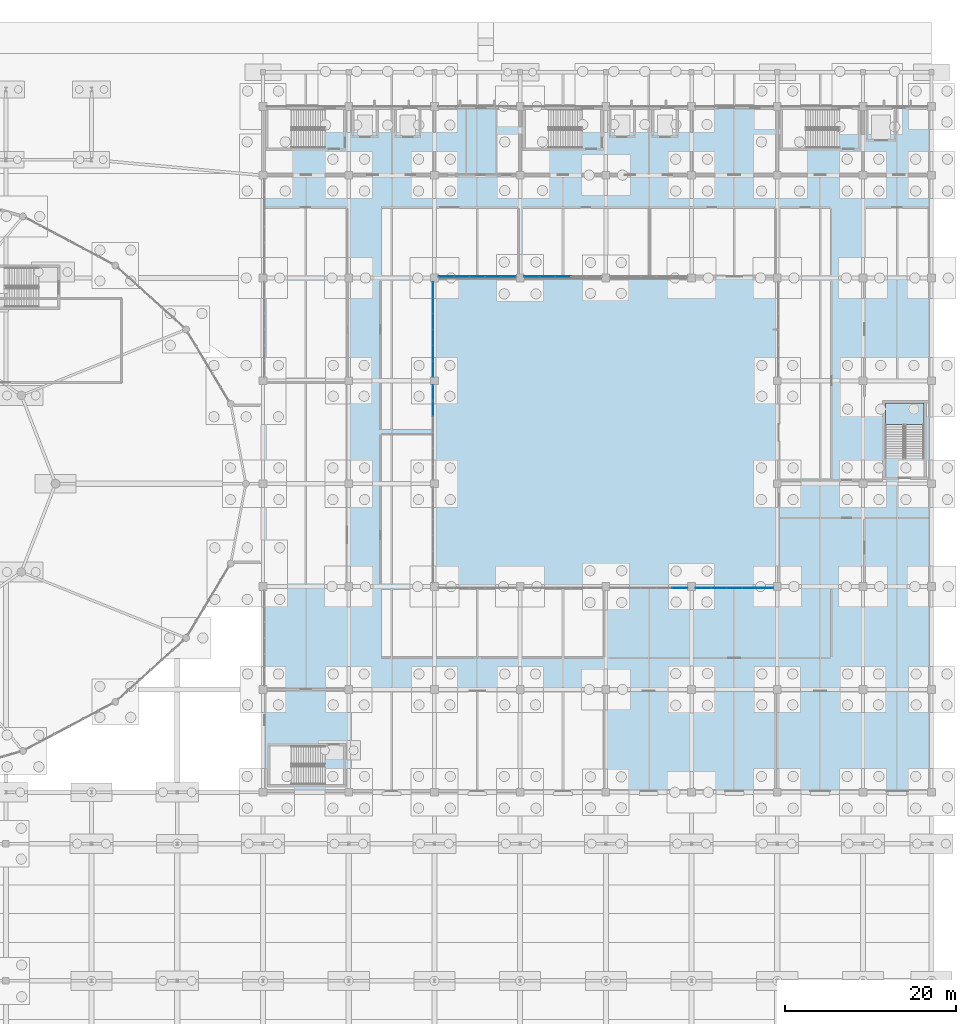
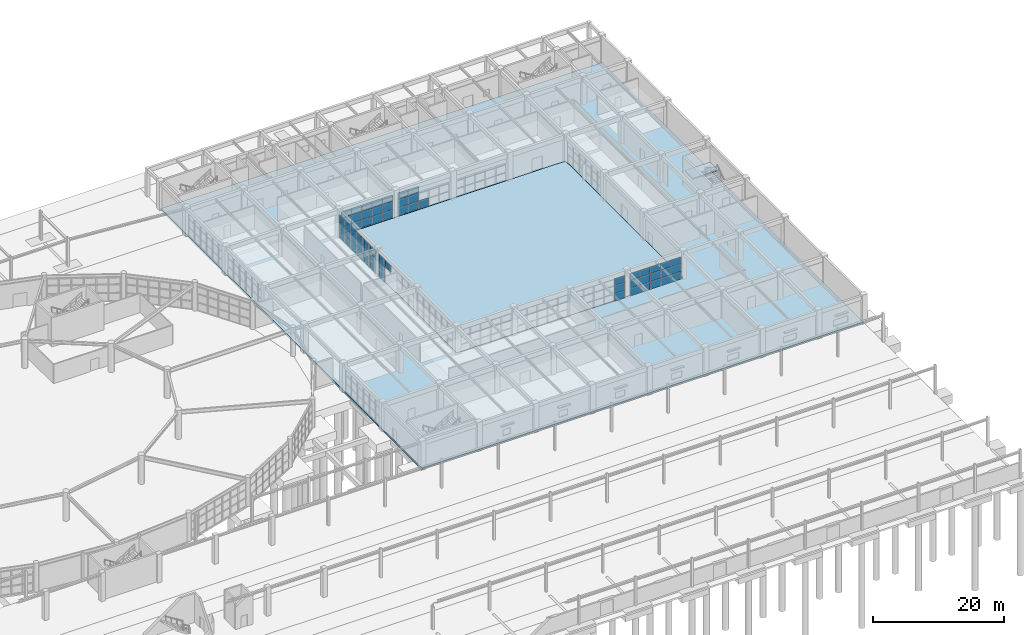
# One storey, part 72 of 99: 62 plates, 3 slabs, 7 elements without a shape of their own.
"""IFC4 building model written with IfcOpenShell, lengths in metres."""

from ifc_helpers import new_model, si_unit, direction, frame, origin, origin_2d, place, context, subcontext, project, spatial, polyline, rectangle, outline, extrude, material, layer, layer_set, type_object, element, aggregate, save


model = new_model("IFC4")

# Units and contexts
model_context = context("Model", 3, precision=1e-05, world=origin(), true_north=direction((0.0, 1.0)))
body_context = subcontext(model_context, "Body", "Model", "MODEL_VIEW")
ifc_project = project(units=[si_unit("LENGTHUNIT", "METRE"), si_unit("AREAUNIT", "SQUARE_METRE"), si_unit("VOLUMEUNIT", "CUBIC_METRE"), si_unit("PLANEANGLEUNIT", "RADIAN"), si_unit("MASSUNIT", "GRAM", prefix="KILO")], contexts=[model_context])

# Site, building, storey
site_placement = place(None, origin())
site = spatial("IfcSite", under=ifc_project, at=site_placement, CompositionType="ELEMENT")
building_placement = place(site_placement, origin())
building = spatial("IfcBuilding", under=site, at=building_placement, Name="Kivolera Central Railway Station", CompositionType="ELEMENT")
storey_placement = place(building_placement, origin())
storey = spatial("IfcBuildingStorey", under=building, at=storey_placement, Name="L00", CompositionType="ELEMENT", Elevation=0.0)

# Curtain wall, plates
ifc_material_1 = material(Name="Anodised aluminium", Category="aluminium")
ifc_layer_1 = layer(ifc_material_1, 0.179931640625, Name="Anodised aluminium")
ifc_layer_set_1 = layer_set([ifc_layer_1], Name="Anodised aluminium")
curtain_wall_type_1 = type_object("IfcCurtainWallType", Name="CW-SYS-22", PredefinedType="NOTDEFINED", material=ifc_layer_set_1)
curtain_wall_1_placement = place(storey_placement, origin())
curtain_wall_1 = element("IfcCurtainWall", 1, at=curtain_wall_1_placement, inside=storey, type_object=curtain_wall_type_1, Name="L00 Curtain Wall CW-L00-CRTW-H", PredefinedType="NOTDEFINED")
ifc_material_2 = material(Name="Double low-E laminated glass", Category="glass")
ifc_layer_2 = layer(ifc_material_2, 0.02587890625, Name="Double low-E laminated glass")
ifc_layer_set_2 = layer_set([ifc_layer_2], Name="Double low-E laminated glass")
plate_type_1 = type_object("IfcPlateType", Name="CWP-GLZ-1", PredefinedType="CURTAIN_PANEL", material=ifc_layer_set_2)
plate_1_placement = place(storey_placement, frame((137.830078125, 100.6142578125, 0.0478515625), z_axis=(0.0, 0.0, 1.0), x_axis=(0.0, -1.0, 0.0)))
plate_1 = element("IfcPlate", 2, at=plate_1_placement, type_object=plate_type_1, Name="CW-22 panel 1.1", PredefinedType="CURTAIN_PANEL", context=body_context, shape_type="SweptSolid", body=[
    extrude(rectangle(XDim=1.78564453125, YDim=0.02587890625, at=origin_2d()), origin(), (0.0, 0.0, 1.0), 1.459228515625),
])
plate_2_placement = place(storey_placement, frame((137.830078125, 100.6142578125, 1.543212890625), z_axis=(0.0, 0.0, 1.0), x_axis=(0.0, -1.0, 0.0)))
plate_2 = element("IfcPlate", 3, at=plate_2_placement, type_object=plate_type_1, Name="CW-22 panel 1.2", PredefinedType="CURTAIN_PANEL", context=body_context, shape_type="SweptSolid", body=[
    extrude(rectangle(XDim=1.78564453125, YDim=0.02587890625, at=origin_2d()), origin(), (0.0, 0.0, 1.0), 1.4892578125),
])
plate_3_placement = place(storey_placement, frame((137.830078125, 100.6142578125, 3.068359375), z_axis=(0.0, 0.0, 1.0), x_axis=(0.0, -1.0, 0.0)))
plate_3 = element("IfcPlate", 4, at=plate_3_placement, type_object=plate_type_1, Name="CW-22 panel 1.3", PredefinedType="CURTAIN_PANEL", context=body_context, shape_type="SweptSolid", body=[
    extrude(rectangle(XDim=1.78564453125, YDim=0.02587890625, at=origin_2d()), origin(), (0.0, 0.0, 1.0), 1.241455078125),
])
plate_4_placement = place(storey_placement, frame((137.830078125, 98.777587890625, 3.068359375), z_axis=(0.0, 0.0, 1.0), x_axis=(0.0, -1.0, 0.0)))
plate_4 = element("IfcPlate", 5, at=plate_4_placement, type_object=plate_type_1, Name="CW-22 panel 2.3", PredefinedType="CURTAIN_PANEL", context=body_context, shape_type="SweptSolid", body=[
    extrude(rectangle(XDim=1.815673828125, YDim=0.02587890625, at=origin_2d()), origin(), (0.0, 0.0, 1.0), 1.241455078125),
])
aggregate(curtain_wall_1, [plate_1, plate_2, plate_3, plate_4])

curtain_wall_2_placement = place(storey_placement, origin())
curtain_wall_2 = element("IfcCurtainWall", 6, at=curtain_wall_2_placement, inside=storey, type_object=curtain_wall_type_1, Name="L00 Curtain Wall CW-L00-CRTW-J", PredefinedType="NOTDEFINED")
plate_5_placement = place(storey_placement, frame((137.830078125, 112.6142578125, 0.0478515625), z_axis=(0.0, 0.0, 1.0), x_axis=(0.0, -1.0, 0.0)))
plate_5 = element("IfcPlate", 7, at=plate_5_placement, type_object=plate_type_1, Name="CW-22 panel 1.1", PredefinedType="CURTAIN_PANEL", context=body_context, shape_type="SweptSolid", body=[
    extrude(rectangle(XDim=1.78564453125, YDim=0.02587890625, at=origin_2d()), origin(), (0.0, 0.0, 1.0), 1.459228515625),
])
plate_6_placement = place(storey_placement, frame((137.830078125, 112.6142578125, 1.543212890625), z_axis=(0.0, 0.0, 1.0), x_axis=(0.0, -1.0, 0.0)))
plate_6 = element("IfcPlate", 8, at=plate_6_placement, type_object=plate_type_1, Name="CW-22 panel 1.2", PredefinedType="CURTAIN_PANEL", context=body_context, shape_type="SweptSolid", body=[
    extrude(rectangle(XDim=1.78564453125, YDim=0.02587890625, at=origin_2d()), origin(), (0.0, 0.0, 1.0), 1.4892578125),
])
plate_7_placement = place(storey_placement, frame((137.830078125, 112.6142578125, 3.068359375), z_axis=(0.0, 0.0, 1.0), x_axis=(0.0, -1.0, 0.0)))
plate_7 = element("IfcPlate", 9, at=plate_7_placement, type_object=plate_type_1, Name="CW-22 panel 1.3", PredefinedType="CURTAIN_PANEL", context=body_context, shape_type="SweptSolid", body=[
    extrude(rectangle(XDim=1.78564453125, YDim=0.02587890625, at=origin_2d()), origin(), (0.0, 0.0, 1.0), 1.241455078125),
])
plate_8_placement = place(storey_placement, frame((137.830078125, 110.777587890625, 0.0478515625), z_axis=(0.0, 0.0, 1.0), x_axis=(0.0, -1.0, 0.0)))
plate_8 = element("IfcPlate", 10, at=plate_8_placement, type_object=plate_type_1, Name="CW-22 panel 2.1", PredefinedType="CURTAIN_PANEL", context=body_context, shape_type="SweptSolid", body=[
    extrude(rectangle(XDim=1.815673828125, YDim=0.02587890625, at=origin_2d()), origin(), (0.0, 0.0, 1.0), 1.459228515625),
])
plate_9_placement = place(storey_placement, frame((137.830078125, 110.777587890625, 1.543212890625), z_axis=(0.0, 0.0, 1.0), x_axis=(0.0, -1.0, 0.0)))
plate_9 = element("IfcPlate", 11, at=plate_9_placement, type_object=plate_type_1, Name="CW-22 panel 2.2", PredefinedType="CURTAIN_PANEL", context=body_context, shape_type="SweptSolid", body=[
    extrude(rectangle(XDim=1.815673828125, YDim=0.02587890625, at=origin_2d()), origin(), (0.0, 0.0, 1.0), 1.4892578125),
])
plate_10_placement = place(storey_placement, frame((137.830078125, 110.777587890625, 3.068359375), z_axis=(0.0, 0.0, 1.0), x_axis=(0.0, -1.0, 0.0)))
plate_10 = element("IfcPlate", 12, at=plate_10_placement, type_object=plate_type_1, Name="CW-22 panel 2.3", PredefinedType="CURTAIN_PANEL", context=body_context, shape_type="SweptSolid", body=[
    extrude(rectangle(XDim=1.815673828125, YDim=0.02587890625, at=origin_2d()), origin(), (0.0, 0.0, 1.0), 1.241455078125),
])
plate_11_placement = place(storey_placement, frame((137.830078125, 108.92578125, 0.0478515625), z_axis=(0.0, 0.0, 1.0), x_axis=(0.0, -1.0, 0.0)))
plate_11 = element("IfcPlate", 13, at=plate_11_placement, type_object=plate_type_1, Name="CW-22 panel 3.1", PredefinedType="CURTAIN_PANEL", context=body_context, shape_type="SweptSolid", body=[
    extrude(rectangle(XDim=1.815673828125, YDim=0.02587890625, at=origin_2d()), origin(), (0.0, 0.0, 1.0), 1.459228515625),
])
plate_12_placement = place(storey_placement, frame((137.830078125, 108.92578125, 1.543212890625), z_axis=(0.0, 0.0, 1.0), x_axis=(0.0, -1.0, 0.0)))
plate_12 = element("IfcPlate", 14, at=plate_12_placement, type_object=plate_type_1, Name="CW-22 panel 3.2", PredefinedType="CURTAIN_PANEL", context=body_context, shape_type="SweptSolid", body=[
    extrude(rectangle(XDim=1.815673828125, YDim=0.02587890625, at=origin_2d()), origin(), (0.0, 0.0, 1.0), 1.4892578125),
])
plate_13_placement = place(storey_placement, frame((137.830078125, 108.92578125, 3.068359375), z_axis=(0.0, 0.0, 1.0), x_axis=(0.0, -1.0, 0.0)))
plate_13 = element("IfcPlate", 15, at=plate_13_placement, type_object=plate_type_1, Name="CW-22 panel 3.3", PredefinedType="CURTAIN_PANEL", context=body_context, shape_type="SweptSolid", body=[
    extrude(rectangle(XDim=1.815673828125, YDim=0.02587890625, at=origin_2d()), origin(), (0.0, 0.0, 1.0), 1.241455078125),
])
plate_14_placement = place(storey_placement, frame((137.830078125, 107.07421875, 0.0478515625), z_axis=(0.0, 0.0, 1.0), x_axis=(0.0, -1.0, 0.0)))
plate_14 = element("IfcPlate", 16, at=plate_14_placement, type_object=plate_type_1, Name="CW-22 panel 4.1", PredefinedType="CURTAIN_PANEL", context=body_context, shape_type="SweptSolid", body=[
    extrude(rectangle(XDim=1.815673828125, YDim=0.02587890625, at=origin_2d()), origin(), (0.0, 0.0, 1.0), 1.459228515625),
])
plate_15_placement = place(storey_placement, frame((137.830078125, 107.07421875, 1.543212890625), z_axis=(0.0, 0.0, 1.0), x_axis=(0.0, -1.0, 0.0)))
plate_15 = element("IfcPlate", 17, at=plate_15_placement, type_object=plate_type_1, Name="CW-22 panel 4.2", PredefinedType="CURTAIN_PANEL", context=body_context, shape_type="SweptSolid", body=[
    extrude(rectangle(XDim=1.815673828125, YDim=0.02587890625, at=origin_2d()), origin(), (0.0, 0.0, 1.0), 1.4892578125),
])
plate_16_placement = place(storey_placement, frame((137.830078125, 107.07421875, 3.068359375), z_axis=(0.0, 0.0, 1.0), x_axis=(0.0, -1.0, 0.0)))
plate_16 = element("IfcPlate", 18, at=plate_16_placement, type_object=plate_type_1, Name="CW-22 panel 4.3", PredefinedType="CURTAIN_PANEL", context=body_context, shape_type="SweptSolid", body=[
    extrude(rectangle(XDim=1.815673828125, YDim=0.02587890625, at=origin_2d()), origin(), (0.0, 0.0, 1.0), 1.241455078125),
])
plate_17_placement = place(storey_placement, frame((137.830078125, 105.222412109375, 0.0478515625), z_axis=(0.0, 0.0, 1.0), x_axis=(0.0, -1.0, 0.0)))
plate_17 = element("IfcPlate", 19, at=plate_17_placement, type_object=plate_type_1, Name="CW-22 panel 5.1", PredefinedType="CURTAIN_PANEL", context=body_context, shape_type="SweptSolid", body=[
    extrude(rectangle(XDim=1.815673828125, YDim=0.02587890625, at=origin_2d()), origin(), (0.0, 0.0, 1.0), 1.459228515625),
])
plate_18_placement = place(storey_placement, frame((137.830078125, 105.222412109375, 1.543212890625), z_axis=(0.0, 0.0, 1.0), x_axis=(0.0, -1.0, 0.0)))
plate_18 = element("IfcPlate", 20, at=plate_18_placement, type_object=plate_type_1, Name="CW-22 panel 5.2", PredefinedType="CURTAIN_PANEL", context=body_context, shape_type="SweptSolid", body=[
    extrude(rectangle(XDim=1.815673828125, YDim=0.02587890625, at=origin_2d()), origin(), (0.0, 0.0, 1.0), 1.4892578125),
])
plate_19_placement = place(storey_placement, frame((137.830078125, 105.222412109375, 3.068359375), z_axis=(0.0, 0.0, 1.0), x_axis=(0.0, -1.0, 0.0)))
plate_19 = element("IfcPlate", 21, at=plate_19_placement, type_object=plate_type_1, Name="CW-22 panel 5.3", PredefinedType="CURTAIN_PANEL", context=body_context, shape_type="SweptSolid", body=[
    extrude(rectangle(XDim=1.815673828125, YDim=0.02587890625, at=origin_2d()), origin(), (0.0, 0.0, 1.0), 1.241455078125),
])
plate_20_placement = place(storey_placement, frame((137.830078125, 103.3857421875, 0.0478515625), z_axis=(0.0, 0.0, 1.0), x_axis=(0.0, -1.0, 0.0)))
plate_20 = element("IfcPlate", 22, at=plate_20_placement, type_object=plate_type_1, Name="CW-22 panel 6.1", PredefinedType="CURTAIN_PANEL", context=body_context, shape_type="SweptSolid", body=[
    extrude(rectangle(XDim=1.78564453125, YDim=0.02587890625, at=origin_2d()), origin(), (0.0, 0.0, 1.0), 1.459228515625),
])
plate_21_placement = place(storey_placement, frame((137.830078125, 103.3857421875, 1.543212890625), z_axis=(0.0, 0.0, 1.0), x_axis=(0.0, -1.0, 0.0)))
plate_21 = element("IfcPlate", 23, at=plate_21_placement, type_object=plate_type_1, Name="CW-22 panel 6.2", PredefinedType="CURTAIN_PANEL", context=body_context, shape_type="SweptSolid", body=[
    extrude(rectangle(XDim=1.78564453125, YDim=0.02587890625, at=origin_2d()), origin(), (0.0, 0.0, 1.0), 1.4892578125),
])
plate_22_placement = place(storey_placement, frame((137.830078125, 103.3857421875, 3.068359375), z_axis=(0.0, 0.0, 1.0), x_axis=(0.0, -1.0, 0.0)))
plate_22 = element("IfcPlate", 24, at=plate_22_placement, type_object=plate_type_1, Name="CW-22 panel 6.3", PredefinedType="CURTAIN_PANEL", context=body_context, shape_type="SweptSolid", body=[
    extrude(rectangle(XDim=1.78564453125, YDim=0.02587890625, at=origin_2d()), origin(), (0.0, 0.0, 1.0), 1.241455078125),
])
aggregate(curtain_wall_2, [plate_5, plate_6, plate_7, plate_8, plate_9, plate_10, plate_11, plate_12, plate_13, plate_14, plate_15, plate_16, plate_17, plate_18, plate_19, plate_20, plate_21, plate_22])

ifc_layer_3 = layer(ifc_material_1, 0.179931640625, Name="Anodised aluminium")
ifc_layer_set_3 = layer_set([ifc_layer_3], Name="Anodised aluminium")
curtain_wall_type_2 = type_object("IfcCurtainWallType", Name="CW-SYS-21", PredefinedType="NOTDEFINED", material=ifc_layer_set_3)
curtain_wall_3_placement = place(storey_placement, origin())
curtain_wall_3 = element("IfcCurtainWall", 25, at=curtain_wall_3_placement, inside=storey, type_object=curtain_wall_type_2, Name="L00 Curtain Wall CW-L00-CRTN-138", PredefinedType="NOTDEFINED")
ifc_layer_4 = layer(ifc_material_2, 0.030029296875, Name="Double low-E laminated glass")
ifc_layer_set_4 = layer_set([ifc_layer_4], Name="Double low-E laminated glass")
plate_type_2 = type_object("IfcPlateType", Name="CWP-GLZ-2", PredefinedType="CURTAIN_PANEL", material=ifc_layer_set_4)
plate_23_placement = place(storey_placement, frame((146.62890625, 114.169921875, 0.048095703125), z_axis=(0.0, 0.0, 1.0), x_axis=(-1.0, 0.0, 0.0)))
plate_23 = element("IfcPlate", 26, at=plate_23_placement, type_object=plate_type_2, Name="CW-21 panel 1.1", PredefinedType="CURTAIN_PANEL", context=body_context, shape_type="SweptSolid", body=[
    extrude(rectangle(XDim=1.756103515625, YDim=0.030029296875, at=origin_2d()), origin(), (0.0, 0.0, 1.0), 1.42431640625),
])
plate_24_placement = place(storey_placement, frame((146.62890625, 114.169921875, 1.50830078125), z_axis=(0.0, 0.0, 1.0), x_axis=(-1.0, 0.0, 0.0)))
plate_24 = element("IfcPlate", 27, at=plate_24_placement, type_object=plate_type_2, Name="CW-21 panel 1.2", PredefinedType="CURTAIN_PANEL", context=body_context, shape_type="SweptSolid", body=[
    extrude(rectangle(XDim=1.756103515625, YDim=0.030029296875, at=origin_2d()), origin(), (0.0, 0.0, 1.0), 1.454345703125),
])
plate_25_placement = place(storey_placement, frame((146.62890625, 114.169921875, 2.99853515625), z_axis=(0.0, 0.0, 1.0), x_axis=(-1.0, 0.0, 0.0)))
plate_25 = element("IfcPlate", 28, at=plate_25_placement, type_object=plate_type_2, Name="CW-21 panel 1.3", PredefinedType="CURTAIN_PANEL", context=body_context, shape_type="SweptSolid", body=[
    extrude(rectangle(XDim=1.756103515625, YDim=0.030029296875, at=origin_2d()), origin(), (0.0, 0.0, 1.0), 1.21142578125),
])
plate_26_placement = place(storey_placement, frame((144.822021484375, 114.169921875, 0.048095703125), z_axis=(0.0, 0.0, 1.0), x_axis=(-1.0, 0.0, 0.0)))
plate_26 = element("IfcPlate", 29, at=plate_26_placement, type_object=plate_type_2, Name="CW-21 panel 2.1", PredefinedType="CURTAIN_PANEL", context=body_context, shape_type="SweptSolid", body=[
    extrude(rectangle(XDim=1.785888671875, YDim=0.030029296875, at=origin_2d()), origin(), (0.0, 0.0, 1.0), 1.42431640625),
])
plate_27_placement = place(storey_placement, frame((144.822021484375, 114.169921875, 1.50830078125), z_axis=(0.0, 0.0, 1.0), x_axis=(-1.0, 0.0, 0.0)))
plate_27 = element("IfcPlate", 30, at=plate_27_placement, type_object=plate_type_2, Name="CW-21 panel 2.2", PredefinedType="CURTAIN_PANEL", context=body_context, shape_type="SweptSolid", body=[
    extrude(rectangle(XDim=1.785888671875, YDim=0.030029296875, at=origin_2d()), origin(), (0.0, 0.0, 1.0), 1.454345703125),
])
plate_28_placement = place(storey_placement, frame((144.822021484375, 114.169921875, 2.99853515625), z_axis=(0.0, 0.0, 1.0), x_axis=(-1.0, 0.0, 0.0)))
plate_28 = element("IfcPlate", 31, at=plate_28_placement, type_object=plate_type_2, Name="CW-21 panel 2.3", PredefinedType="CURTAIN_PANEL", context=body_context, shape_type="SweptSolid", body=[
    extrude(rectangle(XDim=1.785888671875, YDim=0.030029296875, at=origin_2d()), origin(), (0.0, 0.0, 1.0), 1.21142578125),
])
plate_29_placement = place(storey_placement, frame((143.0, 114.169921875, 0.048095703125), z_axis=(0.0, 0.0, 1.0), x_axis=(-1.0, 0.0, 0.0)))
plate_29 = element("IfcPlate", 32, at=plate_29_placement, type_object=plate_type_2, Name="CW-21 panel 3.1", PredefinedType="CURTAIN_PANEL", context=body_context, shape_type="SweptSolid", body=[
    extrude(rectangle(XDim=1.785888671875, YDim=0.030029296875, at=origin_2d()), origin(), (0.0, 0.0, 1.0), 1.42431640625),
])
plate_30_placement = place(storey_placement, frame((143.0, 114.169921875, 1.50830078125), z_axis=(0.0, 0.0, 1.0), x_axis=(-1.0, 0.0, 0.0)))
plate_30 = element("IfcPlate", 33, at=plate_30_placement, type_object=plate_type_2, Name="CW-21 panel 3.2", PredefinedType="CURTAIN_PANEL", context=body_context, shape_type="SweptSolid", body=[
    extrude(rectangle(XDim=1.785888671875, YDim=0.030029296875, at=origin_2d()), origin(), (0.0, 0.0, 1.0), 1.454345703125),
])
plate_31_placement = place(storey_placement, frame((143.0, 114.169921875, 2.99853515625), z_axis=(0.0, 0.0, 1.0), x_axis=(-1.0, 0.0, 0.0)))
plate_31 = element("IfcPlate", 34, at=plate_31_placement, type_object=plate_type_2, Name="CW-21 panel 3.3", PredefinedType="CURTAIN_PANEL", context=body_context, shape_type="SweptSolid", body=[
    extrude(rectangle(XDim=1.785888671875, YDim=0.030029296875, at=origin_2d()), origin(), (0.0, 0.0, 1.0), 1.21142578125),
])
plate_32_placement = place(storey_placement, frame((141.177978515625, 114.169921875, 0.048095703125), z_axis=(0.0, 0.0, 1.0), x_axis=(-1.0, 0.0, 0.0)))
plate_32 = element("IfcPlate", 35, at=plate_32_placement, type_object=plate_type_2, Name="CW-21 panel 4.1", PredefinedType="CURTAIN_PANEL", context=body_context, shape_type="SweptSolid", body=[
    extrude(rectangle(XDim=1.785888671875, YDim=0.030029296875, at=origin_2d()), origin(), (0.0, 0.0, 1.0), 1.42431640625),
])
plate_33_placement = place(storey_placement, frame((141.177978515625, 114.169921875, 1.50830078125), z_axis=(0.0, 0.0, 1.0), x_axis=(-1.0, 0.0, 0.0)))
plate_33 = element("IfcPlate", 36, at=plate_33_placement, type_object=plate_type_2, Name="CW-21 panel 4.2", PredefinedType="CURTAIN_PANEL", context=body_context, shape_type="SweptSolid", body=[
    extrude(rectangle(XDim=1.785888671875, YDim=0.030029296875, at=origin_2d()), origin(), (0.0, 0.0, 1.0), 1.454345703125),
])
plate_34_placement = place(storey_placement, frame((141.177978515625, 114.169921875, 2.99853515625), z_axis=(0.0, 0.0, 1.0), x_axis=(-1.0, 0.0, 0.0)))
plate_34 = element("IfcPlate", 37, at=plate_34_placement, type_object=plate_type_2, Name="CW-21 panel 4.3", PredefinedType="CURTAIN_PANEL", context=body_context, shape_type="SweptSolid", body=[
    extrude(rectangle(XDim=1.785888671875, YDim=0.030029296875, at=origin_2d()), origin(), (0.0, 0.0, 1.0), 1.21142578125),
])
plate_35_placement = place(storey_placement, frame((139.37109375, 114.169921875, 0.048095703125), z_axis=(0.0, 0.0, 1.0), x_axis=(-1.0, 0.0, 0.0)))
plate_35 = element("IfcPlate", 38, at=plate_35_placement, type_object=plate_type_2, Name="CW-21 panel 5.1", PredefinedType="CURTAIN_PANEL", context=body_context, shape_type="SweptSolid", body=[
    extrude(rectangle(XDim=1.756103515625, YDim=0.030029296875, at=origin_2d()), origin(), (0.0, 0.0, 1.0), 1.42431640625),
])
plate_36_placement = place(storey_placement, frame((139.37109375, 114.169921875, 1.50830078125), z_axis=(0.0, 0.0, 1.0), x_axis=(-1.0, 0.0, 0.0)))
plate_36 = element("IfcPlate", 39, at=plate_36_placement, type_object=plate_type_2, Name="CW-21 panel 5.2", PredefinedType="CURTAIN_PANEL", context=body_context, shape_type="SweptSolid", body=[
    extrude(rectangle(XDim=1.756103515625, YDim=0.030029296875, at=origin_2d()), origin(), (0.0, 0.0, 1.0), 1.454345703125),
])
plate_37_placement = place(storey_placement, frame((139.37109375, 114.169921875, 2.99853515625), z_axis=(0.0, 0.0, 1.0), x_axis=(-1.0, 0.0, 0.0)))
plate_37 = element("IfcPlate", 40, at=plate_37_placement, type_object=plate_type_2, Name="CW-21 panel 5.3", PredefinedType="CURTAIN_PANEL", context=body_context, shape_type="SweptSolid", body=[
    extrude(rectangle(XDim=1.756103515625, YDim=0.030029296875, at=origin_2d()), origin(), (0.0, 0.0, 1.0), 1.21142578125),
])
aggregate(curtain_wall_3, [plate_23, plate_24, plate_25, plate_26, plate_27, plate_28, plate_29, plate_30, plate_31, plate_32, plate_33, plate_34, plate_35, plate_36, plate_37])

curtain_wall_4_placement = place(storey_placement, origin())
curtain_wall_4 = element("IfcCurtainWall", 41, at=curtain_wall_4_placement, inside=storey, type_object=curtain_wall_type_2, Name="L00 Curtain Wall CW-L00-CRTN-148", PredefinedType="NOTDEFINED")
ifc_layer_5 = layer(ifc_material_2, 0.033935546875, Name="Double low-E laminated glass")
ifc_layer_set_5 = layer_set([ifc_layer_5], Name="Double low-E laminated glass")
plate_type_3 = type_object("IfcPlateType", Name="CWP-GLZ-3", PredefinedType="CURTAIN_PANEL", material=ifc_layer_set_5)
plate_38_placement = place(storey_placement, frame((153.0, 114.169921875, 0.048095703125), z_axis=(0.0, 0.0, 1.0), x_axis=(-1.0, 0.0, 0.0)))
plate_38 = element("IfcPlate", 42, at=plate_38_placement, type_object=plate_type_3, Name="CW-21 panel 3.1", PredefinedType="CURTAIN_PANEL", context=body_context, shape_type="SweptSolid", body=[
    extrude(rectangle(XDim=1.785888671875, YDim=0.033935546875, at=origin_2d()), origin(), (0.0, 0.0, 1.0), 1.42431640625),
])
plate_39_placement = place(storey_placement, frame((151.177978515625, 114.169921875, 0.048095703125), z_axis=(0.0, 0.0, 1.0), x_axis=(-1.0, 0.0, 0.0)))
plate_39 = element("IfcPlate", 43, at=plate_39_placement, type_object=plate_type_3, Name="CW-21 panel 4.1", PredefinedType="CURTAIN_PANEL", context=body_context, shape_type="SweptSolid", body=[
    extrude(rectangle(XDim=1.785888671875, YDim=0.033935546875, at=origin_2d()), origin(), (0.0, 0.0, 1.0), 1.42431640625),
])
plate_40_placement = place(storey_placement, frame((151.177978515625, 114.169921875, 1.50830078125), z_axis=(0.0, 0.0, 1.0), x_axis=(-1.0, 0.0, 0.0)))
plate_40 = element("IfcPlate", 44, at=plate_40_placement, type_object=plate_type_3, Name="CW-21 panel 4.2", PredefinedType="CURTAIN_PANEL", context=body_context, shape_type="SweptSolid", body=[
    extrude(rectangle(XDim=1.785888671875, YDim=0.033935546875, at=origin_2d()), origin(), (0.0, 0.0, 1.0), 1.454345703125),
])
plate_41_placement = place(storey_placement, frame((151.177978515625, 114.169921875, 2.99853515625), z_axis=(0.0, 0.0, 1.0), x_axis=(-1.0, 0.0, 0.0)))
plate_41 = element("IfcPlate", 45, at=plate_41_placement, type_object=plate_type_3, Name="CW-21 panel 4.3", PredefinedType="CURTAIN_PANEL", context=body_context, shape_type="SweptSolid", body=[
    extrude(rectangle(XDim=1.785888671875, YDim=0.033935546875, at=origin_2d()), origin(), (0.0, 0.0, 1.0), 1.21142578125),
])
plate_42_placement = place(storey_placement, frame((149.37109375, 114.169921875, 0.048095703125), z_axis=(0.0, 0.0, 1.0), x_axis=(-1.0, 0.0, 0.0)))
plate_42 = element("IfcPlate", 46, at=plate_42_placement, type_object=plate_type_3, Name="CW-21 panel 5.1", PredefinedType="CURTAIN_PANEL", context=body_context, shape_type="SweptSolid", body=[
    extrude(rectangle(XDim=1.756103515625, YDim=0.033935546875, at=origin_2d()), origin(), (0.0, 0.0, 1.0), 1.42431640625),
])
plate_43_placement = place(storey_placement, frame((149.37109375, 114.169921875, 1.50830078125), z_axis=(0.0, 0.0, 1.0), x_axis=(-1.0, 0.0, 0.0)))
plate_43 = element("IfcPlate", 47, at=plate_43_placement, type_object=plate_type_3, Name="CW-21 panel 5.2", PredefinedType="CURTAIN_PANEL", context=body_context, shape_type="SweptSolid", body=[
    extrude(rectangle(XDim=1.756103515625, YDim=0.033935546875, at=origin_2d()), origin(), (0.0, 0.0, 1.0), 1.454345703125),
])
plate_44_placement = place(storey_placement, frame((149.37109375, 114.169921875, 2.99853515625), z_axis=(0.0, 0.0, 1.0), x_axis=(-1.0, 0.0, 0.0)))
plate_44 = element("IfcPlate", 48, at=plate_44_placement, type_object=plate_type_3, Name="CW-21 panel 5.3", PredefinedType="CURTAIN_PANEL", context=body_context, shape_type="SweptSolid", body=[
    extrude(rectangle(XDim=1.756103515625, YDim=0.033935546875, at=origin_2d()), origin(), (0.0, 0.0, 1.0), 1.21142578125),
])
aggregate(curtain_wall_4, [plate_38, plate_39, plate_40, plate_41, plate_42, plate_43, plate_44])

curtain_wall_5_placement = place(storey_placement, origin())
curtain_wall_5 = element("IfcCurtainWall", 49, at=curtain_wall_5_placement, inside=storey, type_object=curtain_wall_type_2, Name="L00 Curtain Wall CW-L00-CRTS-158", PredefinedType="NOTDEFINED")
plate_45_placement = place(storey_placement, frame((166.62890625, 77.830078125, 0.048095703125), z_axis=(0.0, 0.0, 1.0), x_axis=(1.0, 0.0, 0.0)))
plate_45 = element("IfcPlate", 50, at=plate_45_placement, type_object=plate_type_3, Name="CW-21 panel 5.1", PredefinedType="CURTAIN_PANEL", context=body_context, shape_type="SweptSolid", body=[
    extrude(rectangle(XDim=1.756103515625, YDim=0.033935546875, at=origin_2d()), origin(), (0.0, 0.0, 1.0), 1.42431640625),
])
plate_46_placement = place(storey_placement, frame((166.62890625, 77.830078125, 1.50830078125), z_axis=(0.0, 0.0, 1.0), x_axis=(1.0, 0.0, 0.0)))
plate_46 = element("IfcPlate", 51, at=plate_46_placement, type_object=plate_type_3, Name="CW-21 panel 5.2", PredefinedType="CURTAIN_PANEL", context=body_context, shape_type="SweptSolid", body=[
    extrude(rectangle(XDim=1.756103515625, YDim=0.033935546875, at=origin_2d()), origin(), (0.0, 0.0, 1.0), 1.454345703125),
])
plate_47_placement = place(storey_placement, frame((166.62890625, 77.830078125, 2.99853515625), z_axis=(0.0, 0.0, 1.0), x_axis=(1.0, 0.0, 0.0)))
plate_47 = element("IfcPlate", 52, at=plate_47_placement, type_object=plate_type_3, Name="CW-21 panel 5.3", PredefinedType="CURTAIN_PANEL", context=body_context, shape_type="SweptSolid", body=[
    extrude(rectangle(XDim=1.756103515625, YDim=0.033935546875, at=origin_2d()), origin(), (0.0, 0.0, 1.0), 1.21142578125),
])
aggregate(curtain_wall_5, [plate_45, plate_46, plate_47])

curtain_wall_6_placement = place(storey_placement, origin())
curtain_wall_6 = element("IfcCurtainWall", 53, at=curtain_wall_6_placement, inside=storey, type_object=curtain_wall_type_2, Name="L00 Curtain Wall CW-L00-CRTS-168", PredefinedType="NOTDEFINED")
plate_48_placement = place(storey_placement, frame((169.37109375, 77.830078125, 0.048095703125), z_axis=(0.0, 0.0, 1.0), x_axis=(1.0, 0.0, 0.0)))
plate_48 = element("IfcPlate", 54, at=plate_48_placement, type_object=plate_type_3, Name="CW-21 panel 1.1", PredefinedType="CURTAIN_PANEL", context=body_context, shape_type="SweptSolid", body=[
    extrude(rectangle(XDim=1.756103515625, YDim=0.033935546875, at=origin_2d()), origin(), (0.0, 0.0, 1.0), 1.42431640625),
])
plate_49_placement = place(storey_placement, frame((169.37109375, 77.830078125, 1.50830078125), z_axis=(0.0, 0.0, 1.0), x_axis=(1.0, 0.0, 0.0)))
plate_49 = element("IfcPlate", 55, at=plate_49_placement, type_object=plate_type_3, Name="CW-21 panel 1.2", PredefinedType="CURTAIN_PANEL", context=body_context, shape_type="SweptSolid", body=[
    extrude(rectangle(XDim=1.756103515625, YDim=0.033935546875, at=origin_2d()), origin(), (0.0, 0.0, 1.0), 1.454345703125),
])
plate_50_placement = place(storey_placement, frame((169.37109375, 77.830078125, 2.99853515625), z_axis=(0.0, 0.0, 1.0), x_axis=(1.0, 0.0, 0.0)))
plate_50 = element("IfcPlate", 56, at=plate_50_placement, type_object=plate_type_3, Name="CW-21 panel 1.3", PredefinedType="CURTAIN_PANEL", context=body_context, shape_type="SweptSolid", body=[
    extrude(rectangle(XDim=1.756103515625, YDim=0.033935546875, at=origin_2d()), origin(), (0.0, 0.0, 1.0), 1.21142578125),
])
plate_51_placement = place(storey_placement, frame((171.177978515625, 77.830078125, 0.048095703125), z_axis=(0.0, 0.0, 1.0), x_axis=(1.0, 0.0, 0.0)))
plate_51 = element("IfcPlate", 57, at=plate_51_placement, type_object=plate_type_3, Name="CW-21 panel 2.1", PredefinedType="CURTAIN_PANEL", context=body_context, shape_type="SweptSolid", body=[
    extrude(rectangle(XDim=1.785888671875, YDim=0.033935546875, at=origin_2d()), origin(), (0.0, 0.0, 1.0), 1.42431640625),
])
plate_52_placement = place(storey_placement, frame((171.177978515625, 77.830078125, 1.50830078125), z_axis=(0.0, 0.0, 1.0), x_axis=(1.0, 0.0, 0.0)))
plate_52 = element("IfcPlate", 58, at=plate_52_placement, type_object=plate_type_3, Name="CW-21 panel 2.2", PredefinedType="CURTAIN_PANEL", context=body_context, shape_type="SweptSolid", body=[
    extrude(rectangle(XDim=1.785888671875, YDim=0.033935546875, at=origin_2d()), origin(), (0.0, 0.0, 1.0), 1.454345703125),
])
plate_53_placement = place(storey_placement, frame((171.177978515625, 77.830078125, 2.99853515625), z_axis=(0.0, 0.0, 1.0), x_axis=(1.0, 0.0, 0.0)))
plate_53 = element("IfcPlate", 59, at=plate_53_placement, type_object=plate_type_3, Name="CW-21 panel 2.3", PredefinedType="CURTAIN_PANEL", context=body_context, shape_type="SweptSolid", body=[
    extrude(rectangle(XDim=1.785888671875, YDim=0.033935546875, at=origin_2d()), origin(), (0.0, 0.0, 1.0), 1.21142578125),
])
plate_54_placement = place(storey_placement, frame((173.0, 77.830078125, 0.048095703125), z_axis=(0.0, 0.0, 1.0), x_axis=(1.0, 0.0, 0.0)))
plate_54 = element("IfcPlate", 60, at=plate_54_placement, type_object=plate_type_3, Name="CW-21 panel 3.1", PredefinedType="CURTAIN_PANEL", context=body_context, shape_type="SweptSolid", body=[
    extrude(rectangle(XDim=1.785888671875, YDim=0.033935546875, at=origin_2d()), origin(), (0.0, 0.0, 1.0), 1.42431640625),
])
plate_55_placement = place(storey_placement, frame((173.0, 77.830078125, 1.50830078125), z_axis=(0.0, 0.0, 1.0), x_axis=(1.0, 0.0, 0.0)))
plate_55 = element("IfcPlate", 61, at=plate_55_placement, type_object=plate_type_3, Name="CW-21 panel 3.2", PredefinedType="CURTAIN_PANEL", context=body_context, shape_type="SweptSolid", body=[
    extrude(rectangle(XDim=1.785888671875, YDim=0.033935546875, at=origin_2d()), origin(), (0.0, 0.0, 1.0), 1.454345703125),
])
plate_56_placement = place(storey_placement, frame((173.0, 77.830078125, 2.99853515625), z_axis=(0.0, 0.0, 1.0), x_axis=(1.0, 0.0, 0.0)))
plate_56 = element("IfcPlate", 62, at=plate_56_placement, type_object=plate_type_3, Name="CW-21 panel 3.3", PredefinedType="CURTAIN_PANEL", context=body_context, shape_type="SweptSolid", body=[
    extrude(rectangle(XDim=1.785888671875, YDim=0.033935546875, at=origin_2d()), origin(), (0.0, 0.0, 1.0), 1.21142578125),
])
plate_57_placement = place(storey_placement, frame((174.822021484375, 77.830078125, 0.048095703125), z_axis=(0.0, 0.0, 1.0), x_axis=(1.0, 0.0, 0.0)))
plate_57 = element("IfcPlate", 63, at=plate_57_placement, type_object=plate_type_3, Name="CW-21 panel 4.1", PredefinedType="CURTAIN_PANEL", context=body_context, shape_type="SweptSolid", body=[
    extrude(rectangle(XDim=1.785888671875, YDim=0.033935546875, at=origin_2d()), origin(), (0.0, 0.0, 1.0), 1.42431640625),
])
plate_58_placement = place(storey_placement, frame((174.822021484375, 77.830078125, 1.50830078125), z_axis=(0.0, 0.0, 1.0), x_axis=(1.0, 0.0, 0.0)))
plate_58 = element("IfcPlate", 64, at=plate_58_placement, type_object=plate_type_3, Name="CW-21 panel 4.2", PredefinedType="CURTAIN_PANEL", context=body_context, shape_type="SweptSolid", body=[
    extrude(rectangle(XDim=1.785888671875, YDim=0.033935546875, at=origin_2d()), origin(), (0.0, 0.0, 1.0), 1.454345703125),
])
plate_59_placement = place(storey_placement, frame((174.822021484375, 77.830078125, 2.99853515625), z_axis=(0.0, 0.0, 1.0), x_axis=(1.0, 0.0, 0.0)))
plate_59 = element("IfcPlate", 65, at=plate_59_placement, type_object=plate_type_3, Name="CW-21 panel 4.3", PredefinedType="CURTAIN_PANEL", context=body_context, shape_type="SweptSolid", body=[
    extrude(rectangle(XDim=1.785888671875, YDim=0.033935546875, at=origin_2d()), origin(), (0.0, 0.0, 1.0), 1.21142578125),
])
plate_60_placement = place(storey_placement, frame((176.62890625, 77.830078125, 0.048095703125), z_axis=(0.0, 0.0, 1.0), x_axis=(1.0, 0.0, 0.0)))
plate_60 = element("IfcPlate", 66, at=plate_60_placement, type_object=plate_type_3, Name="CW-21 panel 5.1", PredefinedType="CURTAIN_PANEL", context=body_context, shape_type="SweptSolid", body=[
    extrude(rectangle(XDim=1.756103515625, YDim=0.033935546875, at=origin_2d()), origin(), (0.0, 0.0, 1.0), 1.42431640625),
])
plate_61_placement = place(storey_placement, frame((176.62890625, 77.830078125, 1.50830078125), z_axis=(0.0, 0.0, 1.0), x_axis=(1.0, 0.0, 0.0)))
plate_61 = element("IfcPlate", 67, at=plate_61_placement, type_object=plate_type_3, Name="CW-21 panel 5.2", PredefinedType="CURTAIN_PANEL", context=body_context, shape_type="SweptSolid", body=[
    extrude(rectangle(XDim=1.756103515625, YDim=0.033935546875, at=origin_2d()), origin(), (0.0, 0.0, 1.0), 1.454345703125),
])
plate_62_placement = place(storey_placement, frame((176.62890625, 77.830078125, 2.99853515625), z_axis=(0.0, 0.0, 1.0), x_axis=(1.0, 0.0, 0.0)))
plate_62 = element("IfcPlate", 68, at=plate_62_placement, type_object=plate_type_3, Name="CW-21 panel 5.3", PredefinedType="CURTAIN_PANEL", context=body_context, shape_type="SweptSolid", body=[
    extrude(rectangle(XDim=1.756103515625, YDim=0.033935546875, at=origin_2d()), origin(), (0.0, 0.0, 1.0), 1.21142578125),
])
aggregate(curtain_wall_6, [plate_48, plate_49, plate_50, plate_51, plate_52, plate_53, plate_54, plate_55, plate_56, plate_57, plate_58, plate_59, plate_60, plate_61, plate_62])

# Slabs
ifc_material_3 = material(Name="Concrete C35/45", Category="concrete")
ifc_layer_6 = layer(ifc_material_3, 0.35009765625, Name="Concrete C35/45")
ifc_layer_set_6 = layer_set([ifc_layer_6], Name="Concrete C35/45")
slab_type_1 = type_object("IfcSlabType", Name="SLB-BASE-350", PredefinedType="BASESLAB", material=ifc_layer_set_6)
slab_1_placement = place(storey_placement, frame((0.0, 0.0, -0.35009765625)))
element("IfcSlab", 69, at=slab_1_placement, inside=storey, type_object=slab_type_1, Name="L00 Stepped Wing Ground Base Slab", PredefinedType="BASESLAB", context=body_context, shape_type="SweptSolid", body=[
    extrude(outline(polyline([(118.0, 54.0), (196.0, 54.0), (196.0, 134.0), (118.0, 134.0), (118.0, 54.0)]), holes=[polyline([(138.0, 78.0), (178.0, 78.0), (178.0, 114.0), (138.0, 114.0), (138.0, 78.0)])]), origin(), (0.0, 0.0, 1.0), 0.35009765625),
])
ifc_layer_7 = layer(ifc_material_3, 0.300048828125, Name="Concrete C35/45")
ifc_layer_set_7 = layer_set([ifc_layer_7], Name="Concrete C35/45")
slab_type_2 = type_object("IfcSlabType", Name="SLB-EXT-300", PredefinedType="BASESLAB", material=ifc_layer_set_7)
slab_2_placement = place(storey_placement, frame((0.0, 0.0, -0.300048828125)))
element("IfcSlab", 70, at=slab_2_placement, inside=storey, type_object=slab_type_2, Name="Planted Monsoon Court Paved Apron Slab", PredefinedType="BASESLAB", context=body_context, shape_type="SweptSolid", body=[
    extrude(outline(polyline([(138.0, 78.0), (178.0, 78.0), (178.0, 114.0), (138.0, 114.0), (138.0, 78.0)])), origin(), (0.0, 0.0, 1.0), 0.300048828125),
])

# Stair, slab
ifc_material_4 = material(Name="Concrete C40/50", Category="concrete")
stair_type = type_object("IfcStairType", Name="STR-2160-30", PredefinedType="HALF_TURN_STAIR", material=ifc_material_4)
stair_placement = place(storey_placement, origin())
stair = element("IfcStair", 71, at=stair_placement, inside=storey, type_object=stair_type, Name="L00 Protected Exit Stair ST11", PredefinedType="HALF_TURN_STAIR")
ifc_layer_8 = layer(ifc_material_4, 0.199951171875, Name="Concrete C40/50")
ifc_layer_set_8 = layer_set([ifc_layer_8], Name="Concrete C40/50")
slab_type_3 = type_object("IfcSlabType", Name="SLB-LND-200", PredefinedType="LANDING", material=ifc_layer_set_8)
slab_3_placement = place(storey_placement, frame((0.0, 0.0, 2.5)))
slab_3 = element("IfcSlab", 72, at=slab_3_placement, type_object=slab_type_3, Name="ST11 landing 1", PredefinedType="LANDING", context=body_context, shape_type="SweptSolid", body=[
    extrude(outline(polyline([(195.10009765625, 96.8798828125), (195.10009765625, 99.39990234375), (190.60009765625, 99.39990234375), (190.60009765625, 96.8798828125), (195.10009765625, 96.8798828125)])), origin(), (0.0, 0.0, 1.0), 0.199951171875),
])
aggregate(stair, [slab_3])

save(model, "model.ifc")
